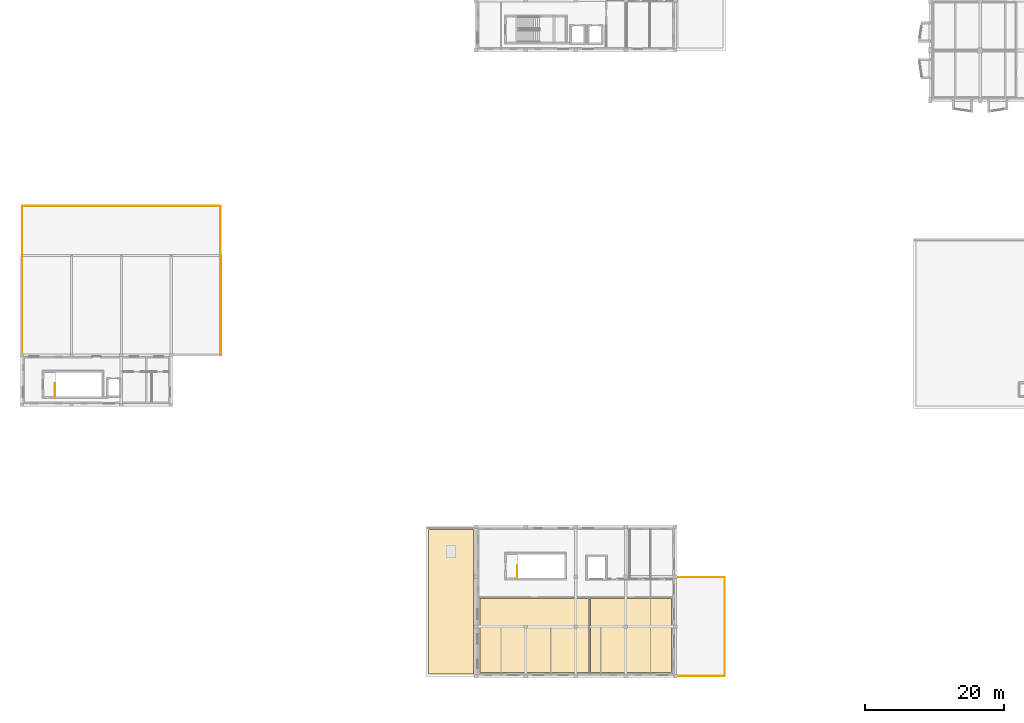
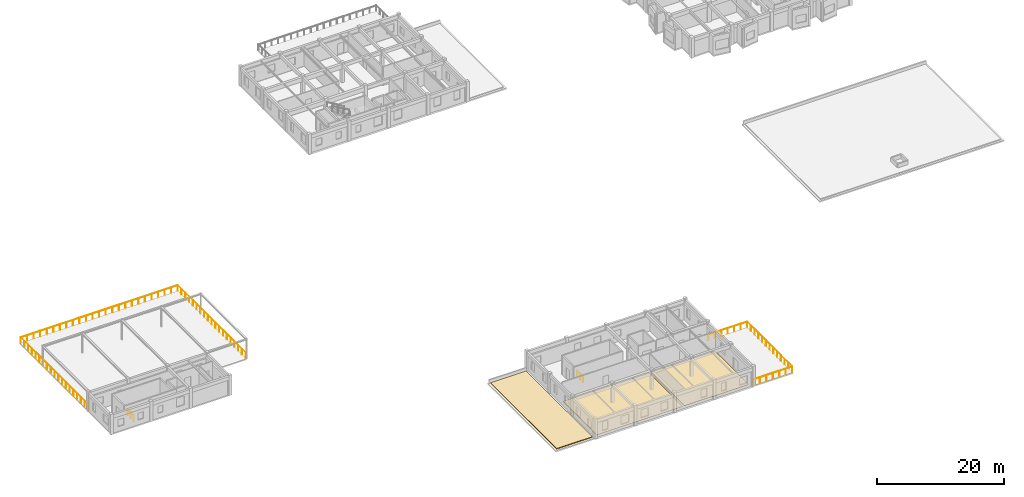
# One storey, part 17 of 20: 8 railings, 3 coverings.
"""IFC4 building model written with IfcOpenShell, lengths in metres."""

from ifc_helpers import new_model, si_unit, direction, frame, origin, origin_2d, place, context, subcontext, project, spatial, polyline, circle, outline, extrude, material, layer, layer_set, type_object, element, save


model = new_model("IFC4")

# Units and contexts
model_context = context("Model", 3, precision=1e-05, world=origin(), true_north=direction((0.0, 1.0)))
body_context = subcontext(model_context, "Body", "Model", "MODEL_VIEW")
ifc_project = project(units=[si_unit("LENGTHUNIT", "METRE"), si_unit("AREAUNIT", "SQUARE_METRE"), si_unit("VOLUMEUNIT", "CUBIC_METRE"), si_unit("PLANEANGLEUNIT", "RADIAN"), si_unit("MASSUNIT", "GRAM", prefix="KILO")], contexts=[model_context])

# Site, building, storey
site_placement = place(None, origin())
site = spatial("IfcSite", under=ifc_project, at=site_placement, CompositionType="ELEMENT")
building_placement = place(site_placement, origin())
building = spatial("IfcBuilding", under=site, at=building_placement, Name="Bramveld Media Centre", CompositionType="ELEMENT")
storey_placement = place(building_placement, frame((0.0, 0.0, 18.0)))
storey = spatial("IfcBuildingStorey", under=building, at=storey_placement, Name="L04", CompositionType="ELEMENT", Elevation=18.0)

# Coverings
ifc_material_1 = material(Name="Floating acoustic screed with smoked European oak studio flooring")
ifc_layer_1 = layer(ifc_material_1, 0.06494140625)
ifc_layer_set_1 = layer_set([ifc_layer_1], Name="Floating acoustic screed with smoked European oak studio flooring")
covering_type_1 = type_object("IfcCoveringType", Name="COV-FLOOR-01", PredefinedType="FLOORING", material=ifc_layer_set_1)
covering_1_placement = place(storey_placement, origin())
element("IfcCovering", 1, at=covering_1_placement, inside=storey, type_object=covering_type_1, Name="Oral History & Podcast Studio finish flooring", PredefinedType="FLOORING", context=body_context, shape_type="SweptSolid", body=[
    extrude(outline(polyline([(82.14990234375, 0.550048828125), (93.85009765625, 0.550048828125), (93.85009765625, 11.25), (82.14990234375, 11.25), (82.14990234375, 0.550048828125)])), origin(), (0.0, 0.0, 1.0), 0.06494140625),
])
ifc_material_2 = material(Name="Anti-static acoustic linoleum editing & vault flooring")
ifc_layer_2 = layer(ifc_material_2, 0.0400390625)
ifc_layer_set_2 = layer_set([ifc_layer_2], Name="Anti-static acoustic linoleum editing & vault flooring")
covering_type_2 = type_object("IfcCoveringType", Name="COV-FLOOR-03", PredefinedType="FLOORING", material=ifc_layer_set_2)
covering_2_placement = place(storey_placement, origin())
element("IfcCovering", 2, at=covering_2_placement, inside=storey, type_object=covering_type_2, Name="Scholars' Rare-Collection Reading Hall finish flooring", PredefinedType="FLOORING", context=body_context, shape_type="SweptSolid", body=[
    extrude(outline(polyline([(66.14990234375, 0.550048828125), (81.85009765625, 0.550048828125), (81.85009765625, 11.25), (66.14990234375, 11.25), (66.14990234375, 0.550048828125)])), origin(), (0.0, 0.0, 1.0), 0.0400390625),
])
ifc_material_3 = material(Name="Vegetated extensive green-roof substrate and EPDM membrane")
ifc_layer_3 = layer(ifc_material_3, 0.139892578125)
ifc_layer_set_3 = layer_set([ifc_layer_3], Name="Vegetated extensive green-roof substrate and EPDM membrane")
covering_type_3 = type_object("IfcCoveringType", Name="COV-ROOF-GREEN", PredefinedType="ROOFING", material=ifc_layer_set_3)
covering_3_placement = place(storey_placement, origin())
element("IfcCovering", 3, at=covering_3_placement, inside=storey, type_object=covering_type_3, Name="V5 L04 vegetated green roof covering", PredefinedType="ROOFING", context=body_context, shape_type="SweptSolid", body=[
    extrude(outline(polyline([(58.75, 0.35009765625), (65.25, 0.35009765625), (65.25, 21.25), (58.75, 21.25), (58.75, 0.35009765625)])), origin(), (0.0, 0.0, 1.0), 0.139892578125),
])

# Railings
ifc_material_4 = material(Name="Painted galvanized steel stairwell guardrail", Category="steel")
railing_type_1 = type_object("IfcRailingType", Name="RAIL-STAIR-GUARD-1150", PredefinedType="GUARDRAIL", material=ifc_material_4)
railing_1_placement = place(storey_placement, frame((4.800048828125, 40.39990234375, 0.0)))
element("IfcRailing", 4, at=railing_1_placement, inside=storey, type_object=railing_type_1, Name="L04 ST-04 top well guard 1", PredefinedType="GUARDRAIL", context=body_context, shape_type="SweptSolid", body=[
    extrude(circle(Radius=0.02392578125, at=origin_2d()), frame((0.0, 0.0, 1.1259765625), z_axis=(0.0, 1.0, 0.0), x_axis=(-1.0, 0.0, 0.0)), (0.0, 0.0, 1.0), 1.900146484375),
    extrude(circle(Radius=0.02099609375, at=origin_2d()), origin(), (0.0, 0.0, 1.0), 1.101806640625),
    extrude(circle(Radius=0.02099609375, at=origin_2d()), frame((0.0, 0.9501953125, 0.0)), (0.0, 0.0, 1.0), 1.101806640625),
    extrude(circle(Radius=0.02099609375, at=origin_2d()), frame((0.0, 1.900146484375, 0.0)), (0.0, 0.0, 1.0), 1.101806640625),
])
railing_2_placement = place(storey_placement, frame((71.550048828125, 14.199951171875, 0.0)))
element("IfcRailing", 5, at=railing_2_placement, inside=storey, type_object=railing_type_1, Name="L04 ST-06 top well guard 1", PredefinedType="GUARDRAIL", context=body_context, shape_type="SweptSolid", body=[
    extrude(circle(Radius=0.02392578125, at=origin_2d()), frame((0.0, 0.0, 1.1259765625), z_axis=(0.0, 1.0, 0.0), x_axis=(-1.0, 0.0, 0.0)), (0.0, 0.0, 1.0), 1.85009765625),
    extrude(circle(Radius=0.02099609375, at=origin_2d()), origin(), (0.0, 0.0, 1.0), 1.101806640625),
    extrude(circle(Radius=0.02099609375, at=origin_2d()), frame((0.0, 0.925048828125, 0.0)), (0.0, 0.0, 1.0), 1.101806640625),
    extrude(circle(Radius=0.02099609375, at=origin_2d()), frame((0.0, 1.85009765625, 0.0)), (0.0, 0.0, 1.0), 1.101806640625),
])
ifc_material_5 = material(Name="Powder-coated bronze galvanized steel balustrade", Category="steel")
railing_type_2 = type_object("IfcRailingType", Name="RAIL-TERRACE-1150", PredefinedType="GUARDRAIL", material=ifc_material_5)
railing_3_placement = place(storey_placement, frame((0.080078125, 67.919921875, 0.0)))
element("IfcRailing", 6, at=railing_3_placement, inside=storey, type_object=railing_type_2, Name="Rooftop Screen Terrace W guardrail", PredefinedType="GUARDRAIL", context=body_context, shape_type="SweptSolid", body=[
    extrude(circle(Radius=0.02392578125, at=origin_2d()), frame((0.0, 0.0, 1.1259765625), z_axis=(0.0, -1.0, 0.0), x_axis=(1.0, 0.0, 0.0)), (0.0, 0.0, 1.0), 21.43994140625),
    extrude(circle(Radius=0.02099609375, at=origin_2d()), origin(), (0.0, 0.0, 1.0), 1.101806640625),
    extrude(circle(Radius=0.02099609375, at=origin_2d()), frame((0.0, -1.191162109375, 0.0)), (0.0, 0.0, 1.0), 1.101806640625),
    extrude(circle(Radius=0.02099609375, at=origin_2d()), frame((0.0, -2.38232421875, 0.0)), (0.0, 0.0, 1.0), 1.101806640625),
    extrude(circle(Radius=0.02099609375, at=origin_2d()), frame((0.0, -3.5732421875, 0.0)), (0.0, 0.0, 1.0), 1.101806640625),
    extrude(circle(Radius=0.02099609375, at=origin_2d()), frame((0.0, -4.764404296875, 0.0)), (0.0, 0.0, 1.0), 1.101806640625),
    extrude(circle(Radius=0.02099609375, at=origin_2d()), frame((0.0, -5.95556640625, 0.0)), (0.0, 0.0, 1.0), 1.101806640625),
    extrude(circle(Radius=0.02099609375, at=origin_2d()), frame((0.0, -7.146728515625, 0.0)), (0.0, 0.0, 1.0), 1.101806640625),
    extrude(circle(Radius=0.02099609375, at=origin_2d()), frame((0.0, -8.337646484375, 0.0)), (0.0, 0.0, 1.0), 1.101806640625),
    extrude(circle(Radius=0.02099609375, at=origin_2d()), frame((0.0, -9.52880859375, 0.0)), (0.0, 0.0, 1.0), 1.101806640625),
    extrude(circle(Radius=0.02099609375, at=origin_2d()), frame((0.0, -10.719970703125, 0.0)), (0.0, 0.0, 1.0), 1.101806640625),
    extrude(circle(Radius=0.02099609375, at=origin_2d()), frame((0.0, -11.9111328125, 0.0)), (0.0, 0.0, 1.0), 1.101806640625),
    extrude(circle(Radius=0.02099609375, at=origin_2d()), frame((0.0, -13.102294921875, 0.0)), (0.0, 0.0, 1.0), 1.101806640625),
    extrude(circle(Radius=0.02099609375, at=origin_2d()), frame((0.0, -14.293212890625, 0.0)), (0.0, 0.0, 1.0), 1.101806640625),
    extrude(circle(Radius=0.02099609375, at=origin_2d()), frame((0.0, -15.484375, 0.0)), (0.0, 0.0, 1.0), 1.101806640625),
    extrude(circle(Radius=0.02099609375, at=origin_2d()), frame((0.0, -16.675537109375, 0.0)), (0.0, 0.0, 1.0), 1.101806640625),
    extrude(circle(Radius=0.02099609375, at=origin_2d()), frame((0.0, -17.86669921875, 0.0)), (0.0, 0.0, 1.0), 1.101806640625),
    extrude(circle(Radius=0.02099609375, at=origin_2d()), frame((0.0, -19.0576171875, 0.0)), (0.0, 0.0, 1.0), 1.101806640625),
    extrude(circle(Radius=0.02099609375, at=origin_2d()), frame((0.0, -20.248779296875, 0.0)), (0.0, 0.0, 1.0), 1.101806640625),
    extrude(circle(Radius=0.02099609375, at=origin_2d()), frame((0.0, -21.43994140625, 0.0)), (0.0, 0.0, 1.0), 1.101806640625),
])
railing_4_placement = place(storey_placement, frame((28.719970703125, 67.919921875, 0.0)))
element("IfcRailing", 7, at=railing_4_placement, inside=storey, type_object=railing_type_2, Name="Rooftop Screen Terrace N guardrail", PredefinedType="GUARDRAIL", context=body_context, shape_type="SweptSolid", body=[
    extrude(circle(Radius=0.02392578125, at=origin_2d()), frame((0.0, 0.0, 1.1259765625), z_axis=(-1.0, 0.0, 0.0), x_axis=(0.0, -1.0, 0.0)), (0.0, 0.0, 1.0), 28.639892578125),
    extrude(circle(Radius=0.02099609375, at=origin_2d()), origin(), (0.0, 0.0, 1.0), 1.101806640625),
    extrude(circle(Radius=0.02099609375, at=origin_2d()), frame((-1.193359375, 0.0, 0.0)), (0.0, 0.0, 1.0), 1.101806640625),
    extrude(circle(Radius=0.02099609375, at=origin_2d()), frame((-2.38671875, 0.0, 0.0)), (0.0, 0.0, 1.0), 1.101806640625),
    extrude(circle(Radius=0.02099609375, at=origin_2d()), frame((-3.580078125, 0.0, 0.0)), (0.0, 0.0, 1.0), 1.101806640625),
    extrude(circle(Radius=0.02099609375, at=origin_2d()), frame((-4.7734375, 0.0, 0.0)), (0.0, 0.0, 1.0), 1.101806640625),
    extrude(circle(Radius=0.02099609375, at=origin_2d()), frame((-5.966552734375, 0.0, 0.0)), (0.0, 0.0, 1.0), 1.101806640625),
    extrude(circle(Radius=0.02099609375, at=origin_2d()), frame((-7.159912109375, 0.0, 0.0)), (0.0, 0.0, 1.0), 1.101806640625),
    extrude(circle(Radius=0.02099609375, at=origin_2d()), frame((-8.353271484375, 0.0, 0.0)), (0.0, 0.0, 1.0), 1.101806640625),
    extrude(circle(Radius=0.02099609375, at=origin_2d()), frame((-9.546630859375, 0.0, 0.0)), (0.0, 0.0, 1.0), 1.101806640625),
    extrude(circle(Radius=0.02099609375, at=origin_2d()), frame((-10.739990234375, 0.0, 0.0)), (0.0, 0.0, 1.0), 1.101806640625),
    extrude(circle(Radius=0.02099609375, at=origin_2d()), frame((-11.933349609375, 0.0, 0.0)), (0.0, 0.0, 1.0), 1.101806640625),
    extrude(circle(Radius=0.02099609375, at=origin_2d()), frame((-13.126708984375, 0.0, 0.0)), (0.0, 0.0, 1.0), 1.101806640625),
    extrude(circle(Radius=0.02099609375, at=origin_2d()), frame((-14.31982421875, 0.0, 0.0)), (0.0, 0.0, 1.0), 1.101806640625),
    extrude(circle(Radius=0.02099609375, at=origin_2d()), frame((-15.51318359375, 0.0, 0.0)), (0.0, 0.0, 1.0), 1.101806640625),
    extrude(circle(Radius=0.02099609375, at=origin_2d()), frame((-16.70654296875, 0.0, 0.0)), (0.0, 0.0, 1.0), 1.101806640625),
    extrude(circle(Radius=0.02099609375, at=origin_2d()), frame((-17.89990234375, 0.0, 0.0)), (0.0, 0.0, 1.0), 1.101806640625),
    extrude(circle(Radius=0.02099609375, at=origin_2d()), frame((-19.09326171875, 0.0, 0.0)), (0.0, 0.0, 1.0), 1.101806640625),
    extrude(circle(Radius=0.02099609375, at=origin_2d()), frame((-20.28662109375, 0.0, 0.0)), (0.0, 0.0, 1.0), 1.101806640625),
    extrude(circle(Radius=0.02099609375, at=origin_2d()), frame((-21.47998046875, 0.0, 0.0)), (0.0, 0.0, 1.0), 1.101806640625),
    extrude(circle(Radius=0.02099609375, at=origin_2d()), frame((-22.67333984375, 0.0, 0.0)), (0.0, 0.0, 1.0), 1.101806640625),
    extrude(circle(Radius=0.02099609375, at=origin_2d()), frame((-23.86669921875, 0.0, 0.0)), (0.0, 0.0, 1.0), 1.101806640625),
    extrude(circle(Radius=0.02099609375, at=origin_2d()), frame((-25.059814453125, 0.0, 0.0)), (0.0, 0.0, 1.0), 1.101806640625),
    extrude(circle(Radius=0.02099609375, at=origin_2d()), frame((-26.253173828125, 0.0, 0.0)), (0.0, 0.0, 1.0), 1.101806640625),
    extrude(circle(Radius=0.02099609375, at=origin_2d()), frame((-27.446533203125, 0.0, 0.0)), (0.0, 0.0, 1.0), 1.101806640625),
    extrude(circle(Radius=0.02099609375, at=origin_2d()), frame((-28.639892578125, 0.0, 0.0)), (0.0, 0.0, 1.0), 1.101806640625),
])
railing_5_placement = place(storey_placement, frame((28.719970703125, 46.47998046875, 0.0)))
element("IfcRailing", 8, at=railing_5_placement, inside=storey, type_object=railing_type_2, Name="Rooftop Screen Terrace E guardrail", PredefinedType="GUARDRAIL", context=body_context, shape_type="SweptSolid", body=[
    extrude(circle(Radius=0.02392578125, at=origin_2d()), frame((0.0, 0.0, 1.1259765625), z_axis=(0.0, 1.0, 0.0), x_axis=(-1.0, 0.0, 0.0)), (0.0, 0.0, 1.0), 21.43994140625),
    extrude(circle(Radius=0.02099609375, at=origin_2d()), origin(), (0.0, 0.0, 1.0), 1.101806640625),
    extrude(circle(Radius=0.02099609375, at=origin_2d()), frame((0.0, 1.191162109375, 0.0)), (0.0, 0.0, 1.0), 1.101806640625),
    extrude(circle(Radius=0.02099609375, at=origin_2d()), frame((0.0, 2.38232421875, 0.0)), (0.0, 0.0, 1.0), 1.101806640625),
    extrude(circle(Radius=0.02099609375, at=origin_2d()), frame((0.0, 3.5732421875, 0.0)), (0.0, 0.0, 1.0), 1.101806640625),
    extrude(circle(Radius=0.02099609375, at=origin_2d()), frame((0.0, 4.764404296875, 0.0)), (0.0, 0.0, 1.0), 1.101806640625),
    extrude(circle(Radius=0.02099609375, at=origin_2d()), frame((0.0, 5.95556640625, 0.0)), (0.0, 0.0, 1.0), 1.101806640625),
    extrude(circle(Radius=0.02099609375, at=origin_2d()), frame((0.0, 7.146728515625, 0.0)), (0.0, 0.0, 1.0), 1.101806640625),
    extrude(circle(Radius=0.02099609375, at=origin_2d()), frame((0.0, 8.337646484375, 0.0)), (0.0, 0.0, 1.0), 1.101806640625),
    extrude(circle(Radius=0.02099609375, at=origin_2d()), frame((0.0, 9.52880859375, 0.0)), (0.0, 0.0, 1.0), 1.101806640625),
    extrude(circle(Radius=0.02099609375, at=origin_2d()), frame((0.0, 10.719970703125, 0.0)), (0.0, 0.0, 1.0), 1.101806640625),
    extrude(circle(Radius=0.02099609375, at=origin_2d()), frame((0.0, 11.9111328125, 0.0)), (0.0, 0.0, 1.0), 1.101806640625),
    extrude(circle(Radius=0.02099609375, at=origin_2d()), frame((0.0, 13.102294921875, 0.0)), (0.0, 0.0, 1.0), 1.101806640625),
    extrude(circle(Radius=0.02099609375, at=origin_2d()), frame((0.0, 14.293212890625, 0.0)), (0.0, 0.0, 1.0), 1.101806640625),
    extrude(circle(Radius=0.02099609375, at=origin_2d()), frame((0.0, 15.484375, 0.0)), (0.0, 0.0, 1.0), 1.101806640625),
    extrude(circle(Radius=0.02099609375, at=origin_2d()), frame((0.0, 16.675537109375, 0.0)), (0.0, 0.0, 1.0), 1.101806640625),
    extrude(circle(Radius=0.02099609375, at=origin_2d()), frame((0.0, 17.86669921875, 0.0)), (0.0, 0.0, 1.0), 1.101806640625),
    extrude(circle(Radius=0.02099609375, at=origin_2d()), frame((0.0, 19.0576171875, 0.0)), (0.0, 0.0, 1.0), 1.101806640625),
    extrude(circle(Radius=0.02099609375, at=origin_2d()), frame((0.0, 20.248779296875, 0.0)), (0.0, 0.0, 1.0), 1.101806640625),
    extrude(circle(Radius=0.02099609375, at=origin_2d()), frame((0.0, 21.43994140625, 0.0)), (0.0, 0.0, 1.0), 1.101806640625),
])
railing_6_placement = place(storey_placement, frame((94.47998046875, 0.080078125, 0.0)))
element("IfcRailing", 9, at=railing_6_placement, inside=storey, type_object=railing_type_2, Name="Archive Scholars Reading Loggia S guardrail", PredefinedType="GUARDRAIL", context=body_context, shape_type="SweptSolid", body=[
    extrude(circle(Radius=0.02392578125, at=origin_2d()), frame((0.0, 0.0, 1.1259765625), z_axis=(1.0, 0.0, 0.0), x_axis=(0.0, 1.0, 0.0)), (0.0, 0.0, 1.0), 7.0400390625),
    extrude(circle(Radius=0.02099609375, at=origin_2d()), origin(), (0.0, 0.0, 1.0), 1.101806640625),
    extrude(circle(Radius=0.02099609375, at=origin_2d()), frame((1.17333984375, 0.0, 0.0)), (0.0, 0.0, 1.0), 1.101806640625),
    extrude(circle(Radius=0.02099609375, at=origin_2d()), frame((2.3466796875, 0.0, 0.0)), (0.0, 0.0, 1.0), 1.101806640625),
    extrude(circle(Radius=0.02099609375, at=origin_2d()), frame((3.52001953125, 0.0, 0.0)), (0.0, 0.0, 1.0), 1.101806640625),
    extrude(circle(Radius=0.02099609375, at=origin_2d()), frame((4.693359375, 0.0, 0.0)), (0.0, 0.0, 1.0), 1.101806640625),
    extrude(circle(Radius=0.02099609375, at=origin_2d()), frame((5.86669921875, 0.0, 0.0)), (0.0, 0.0, 1.0), 1.101806640625),
    extrude(circle(Radius=0.02099609375, at=origin_2d()), frame((7.0400390625, 0.0, 0.0)), (0.0, 0.0, 1.0), 1.101806640625),
])
railing_7_placement = place(storey_placement, frame((101.52001953125, 0.080078125, 0.0)))
element("IfcRailing", 10, at=railing_7_placement, inside=storey, type_object=railing_type_2, Name="Archive Scholars Reading Loggia E guardrail", PredefinedType="GUARDRAIL", context=body_context, shape_type="SweptSolid", body=[
    extrude(circle(Radius=0.02392578125, at=origin_2d()), frame((0.0, 0.0, 1.1259765625), z_axis=(0.0, 1.0, 0.0), x_axis=(-1.0, 0.0, 0.0)), (0.0, 0.0, 1.0), 14.239990234375),
    extrude(circle(Radius=0.02099609375, at=origin_2d()), origin(), (0.0, 0.0, 1.0), 1.101806640625),
    extrude(circle(Radius=0.02099609375, at=origin_2d()), frame((0.0, 1.186767578125, 0.0)), (0.0, 0.0, 1.0), 1.101806640625),
    extrude(circle(Radius=0.02099609375, at=origin_2d()), frame((0.0, 2.373291015625, 0.0)), (0.0, 0.0, 1.0), 1.101806640625),
    extrude(circle(Radius=0.02099609375, at=origin_2d()), frame((0.0, 3.56005859375, 0.0)), (0.0, 0.0, 1.0), 1.101806640625),
    extrude(circle(Radius=0.02099609375, at=origin_2d()), frame((0.0, 4.74658203125, 0.0)), (0.0, 0.0, 1.0), 1.101806640625),
    extrude(circle(Radius=0.02099609375, at=origin_2d()), frame((0.0, 5.933349609375, 0.0)), (0.0, 0.0, 1.0), 1.101806640625),
    extrude(circle(Radius=0.02099609375, at=origin_2d()), frame((0.0, 7.1201171875, 0.0)), (0.0, 0.0, 1.0), 1.101806640625),
    extrude(circle(Radius=0.02099609375, at=origin_2d()), frame((0.0, 8.306640625, 0.0)), (0.0, 0.0, 1.0), 1.101806640625),
    extrude(circle(Radius=0.02099609375, at=origin_2d()), frame((0.0, 9.493408203125, 0.0)), (0.0, 0.0, 1.0), 1.101806640625),
    extrude(circle(Radius=0.02099609375, at=origin_2d()), frame((0.0, 10.679931640625, 0.0)), (0.0, 0.0, 1.0), 1.101806640625),
    extrude(circle(Radius=0.02099609375, at=origin_2d()), frame((0.0, 11.86669921875, 0.0)), (0.0, 0.0, 1.0), 1.101806640625),
    extrude(circle(Radius=0.02099609375, at=origin_2d()), frame((0.0, 13.05322265625, 0.0)), (0.0, 0.0, 1.0), 1.101806640625),
    extrude(circle(Radius=0.02099609375, at=origin_2d()), frame((0.0, 14.239990234375, 0.0)), (0.0, 0.0, 1.0), 1.101806640625),
])
railing_8_placement = place(storey_placement, frame((101.52001953125, 14.320068359375, 0.0)))
element("IfcRailing", 11, at=railing_8_placement, inside=storey, type_object=railing_type_2, Name="Archive Scholars Reading Loggia N guardrail", PredefinedType="GUARDRAIL", context=body_context, shape_type="SweptSolid", body=[
    extrude(circle(Radius=0.02392578125, at=origin_2d()), frame((0.0, 0.0, 1.1259765625), z_axis=(-1.0, 0.0, 0.0), x_axis=(0.0, -1.0, 0.0)), (0.0, 0.0, 1.0), 7.0400390625),
    extrude(circle(Radius=0.02099609375, at=origin_2d()), origin(), (0.0, 0.0, 1.0), 1.101806640625),
    extrude(circle(Radius=0.02099609375, at=origin_2d()), frame((-1.17333984375, 0.0, 0.0)), (0.0, 0.0, 1.0), 1.101806640625),
    extrude(circle(Radius=0.02099609375, at=origin_2d()), frame((-2.3466796875, 0.0, 0.0)), (0.0, 0.0, 1.0), 1.101806640625),
    extrude(circle(Radius=0.02099609375, at=origin_2d()), frame((-3.52001953125, 0.0, 0.0)), (0.0, 0.0, 1.0), 1.101806640625),
    extrude(circle(Radius=0.02099609375, at=origin_2d()), frame((-4.693359375, 0.0, 0.0)), (0.0, 0.0, 1.0), 1.101806640625),
    extrude(circle(Radius=0.02099609375, at=origin_2d()), frame((-5.86669921875, 0.0, 0.0)), (0.0, 0.0, 1.0), 1.101806640625),
    extrude(circle(Radius=0.02099609375, at=origin_2d()), frame((-7.0400390625, 0.0, 0.0)), (0.0, 0.0, 1.0), 1.101806640625),
])

save(model, "model.ifc")
